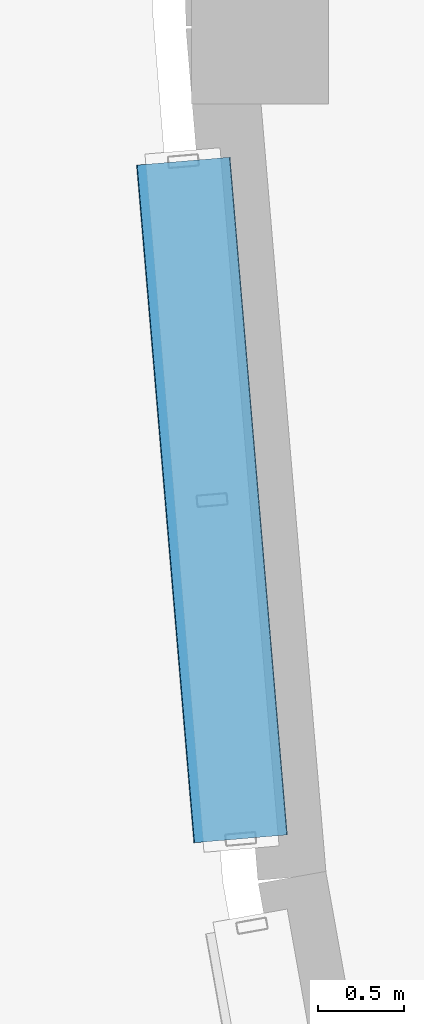
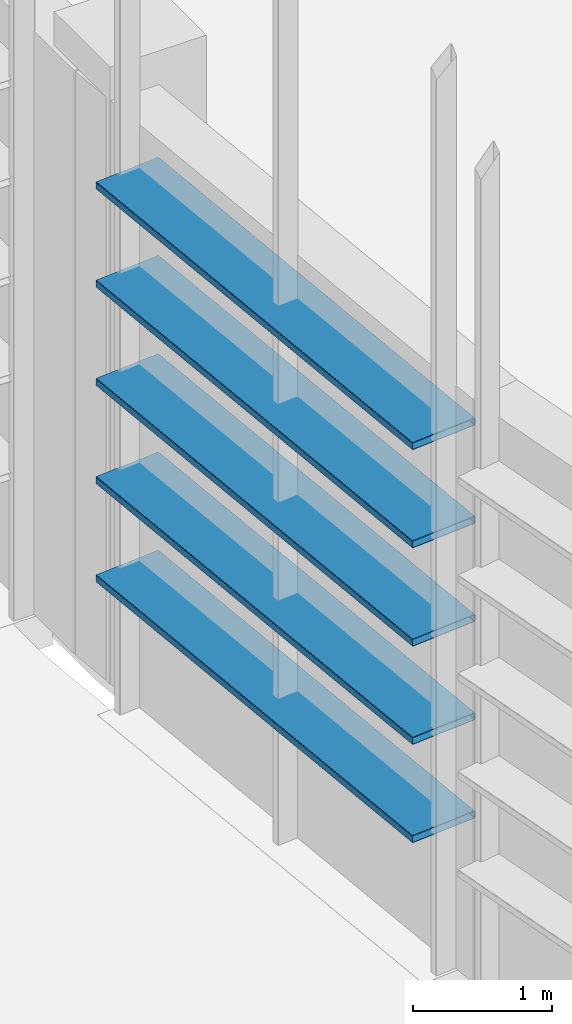
# One storey, part 78 of 372: 5 members.
"""IFC4 building model written with IfcOpenShell, lengths in metres."""

from ifc_helpers import new_model, si_unit, direction, frame, origin, origin_2d, place, context, subcontext, project, spatial, hollow_rectangle, extrude, material, material_profile, profile_set, type_object, element, save


model = new_model("IFC4")

# Units and contexts
model_context = context("Model", 3, precision=1e-05, world=origin(), true_north=direction((0.0, 1.0)))
body_context = subcontext(model_context, "Body", "Model", "MODEL_VIEW")
ifc_project = project(units=[si_unit("LENGTHUNIT", "METRE"), si_unit("AREAUNIT", "SQUARE_METRE"), si_unit("VOLUMEUNIT", "CUBIC_METRE"), si_unit("PLANEANGLEUNIT", "RADIAN"), si_unit("MASSUNIT", "GRAM", prefix="KILO")], contexts=[model_context])

# Site, building, storey
site_placement = place(None, origin())
site = spatial("IfcSite", under=ifc_project, at=site_placement, CompositionType="ELEMENT")
building_placement = place(site_placement, origin())
building = spatial("IfcBuilding", under=site, at=building_placement, Name="Kaelora Sail Theatre", CompositionType="ELEMENT")
storey_placement = place(building_placement, origin())
storey = spatial("IfcBuildingStorey", under=building, at=storey_placement, Name="L00", CompositionType="ELEMENT", Elevation=0.0)

# Members
ifc_material = material(Name="Anodised aluminium 6063-T6", Category="aluminium")
ifc_material_profile = material_profile(ifc_material, hollow_rectangle(XDim=0.550048828125, YDim=0.06494140625, WallThickness=0.00390625, InnerFilletRadius=0.00390625, OuterFilletRadius=0.008056640625, at=origin_2d()), Name="LOUVRE 550x65x4")
ifc_profile_set = profile_set([ifc_material_profile], Name="Anodised aluminium 6063-T6")
member_type = type_object("IfcMemberType", Name="ARC-MEM-LVR-300", PredefinedType="USERDEFINED", material=ifc_profile_set)
for number, where, z_axis, x_axis, name in (
    (1, (25.603515625, 45.791748046875, 1.25), (-0.084261045618, 0.996443714512, 0.0), (-0.996443714512, -0.084261045618, 0.0), "Main Theatre Sail Drum horizontal solar louvre C20-01"),
    (2, (25.603515625, 45.791748046875, 2.110107421875), (-0.084261045618, 0.996443714512, 0.0), (-0.996443714512, -0.084261045618, 0.0), "Main Theatre Sail Drum horizontal solar louvre C20-02"),
    (3, (25.603515625, 45.791748046875, 2.969970703125), (-0.084261045618, 0.996443714512, 0.0), (-0.996443714512, -0.084261045618, 0.0), "Main Theatre Sail Drum horizontal solar louvre C20-03"),
    (4, (25.603515625, 45.791748046875, 3.830078125), (-0.084261045618, 0.996443714512, 0.0), (-0.996443714512, -0.084261045618, 0.0), "Main Theatre Sail Drum horizontal solar louvre C20-04"),
    (5, (25.603515625, 45.791748046875, 4.68994140625), (-0.084261045618, 0.996443714512, 0.0), (-0.996443714512, -0.084261045618, 0.0), "Main Theatre Sail Drum horizontal solar louvre C20-05"),
):
    element("IfcMember", number, at=place(storey_placement, frame(where, z_axis=z_axis, x_axis=x_axis)), inside=storey, type_object=member_type, Name=name, ObjectType="LOUVRE", PredefinedType="USERDEFINED", context=body_context, shape_type="SweptSolid", body=[
        extrude(hollow_rectangle(XDim=0.550048828125, YDim=0.06494140625, WallThickness=0.00390625, InnerFilletRadius=0.00390625, OuterFilletRadius=0.008056640625, at=origin_2d()), origin(), (0.0, 0.0, 1.0), 3.972412109375),
    ])

save(model, "model.ifc")
